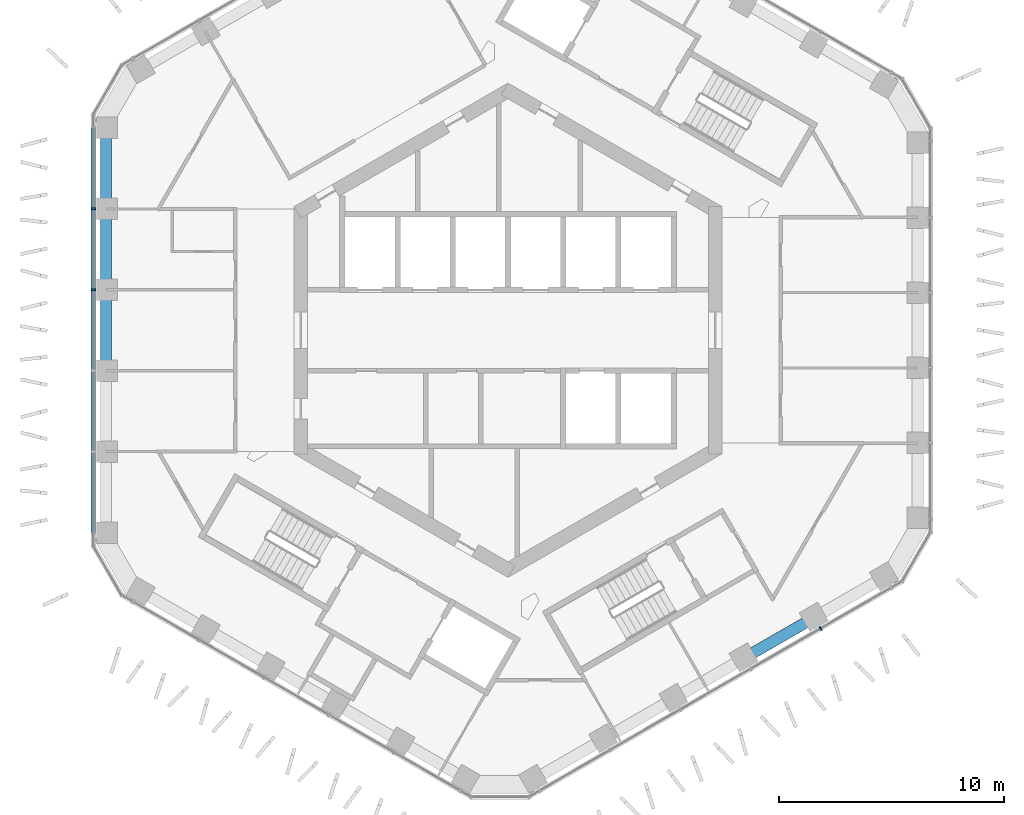
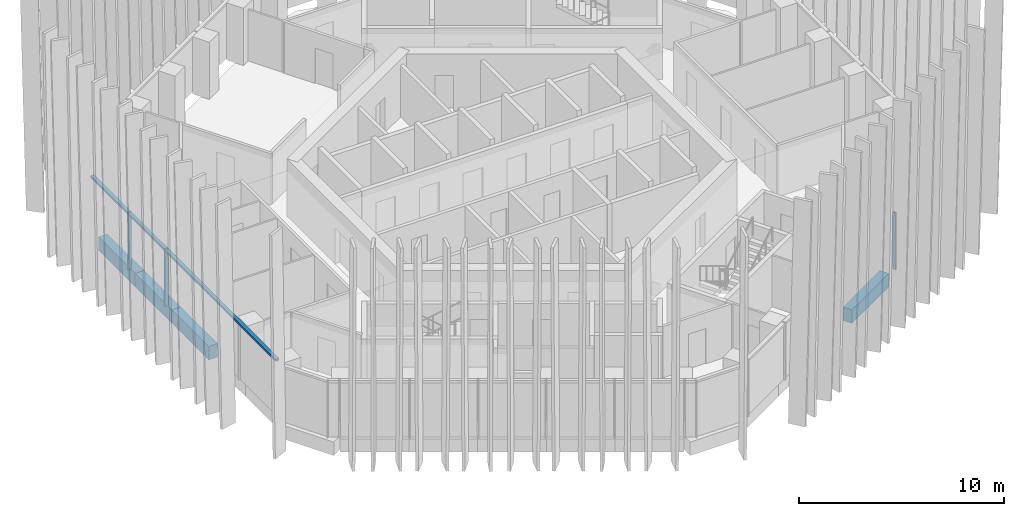
# One storey, part 4 of 21: 4 beams, 4 members, 2 elements without a shape of their own.
"""IFC4 building model written with IfcOpenShell, lengths in metres."""

from ifc_helpers import new_model, si_unit, direction, frame, origin, origin_2d, place, context, subcontext, project, spatial, rectangle, extrude, material, layer, layer_set, material_profile, profile_set, type_object, element, aggregate, save


model = new_model("IFC4")

# Units and contexts
model_context = context("Model", 3, precision=1e-05, world=origin(), true_north=direction((0.0, 1.0)))
body_context = subcontext(model_context, "Body", "Model", "MODEL_VIEW")
ifc_project = project(units=[si_unit("LENGTHUNIT", "METRE"), si_unit("AREAUNIT", "SQUARE_METRE"), si_unit("VOLUMEUNIT", "CUBIC_METRE"), si_unit("PLANEANGLEUNIT", "RADIAN"), si_unit("MASSUNIT", "GRAM", prefix="KILO")], contexts=[model_context])

# Site, building, storey
site_placement = place(None, origin())
site = spatial("IfcSite", under=ifc_project, at=site_placement, CompositionType="ELEMENT")
building_placement = place(site_placement, origin())
building = spatial("IfcBuilding", under=site, at=building_placement, Name="Ayvan Gate Tower", CompositionType="ELEMENT")
storey_placement = place(building_placement, frame((0.0, 0.0, 173.10009765625)))
storey = spatial("IfcBuildingStorey", under=building, at=storey_placement, Name="L46", CompositionType="ELEMENT", Elevation=173.10009765625)

# Beams
ifc_material_1 = material(Name="Concrete C40/50", Category="concrete")
ifc_material_profile_1 = material_profile(ifc_material_1, rectangle(XDim=0.5, YDim=0.800048828125, at=origin_2d()), Name="RC 500x800")
ifc_profile_set_1 = profile_set([ifc_material_profile_1], Name="Concrete C40/50")
beam_type = type_object("IfcBeamType", Name="Spandrel beam RC 500x800 C40/50", PredefinedType="BEAM", material=ifc_profile_set_1)
for number, where, z_axis, x_axis, name in (
    (1, (-17.843505859375, 8.966064453125, -0.75), (0.0, -1.0, 0.0), (1.0, 0.0, 0.0), "SB-L46-19"),
    (2, (-17.843505859375, 5.379638671875, -0.75), (0.0, -1.0, 0.0), (1.0, 0.0, 0.0), "SB-L46-20"),
    (3, (-17.843505859375, 1.793212890625, -0.75), (0.0, -1.0, 0.0), (1.0, 0.0, 0.0), "SB-L46-21"),
    (4, (10.474609375, -14.556396484375, -0.75), (0.866026881282, 0.499997440891, 0.0), (-0.499997440891, 0.866026881282, 0.0), "SB-L46-34"),
):
    element("IfcBeam", number, at=place(storey_placement, frame(where, z_axis=z_axis, x_axis=x_axis)), inside=storey, type_object=beam_type, Name=name, PredefinedType="BEAM", context=body_context, shape_type="SweptSolid", body=[
        extrude(rectangle(XDim=0.5, YDim=0.800048828125, at=origin_2d()), origin(), (0.0, 0.0, 1.0), 3.58642578125),
    ])

# Curtain wall, members
ifc_material_2 = material(Name="Bronze anodised aluminium", Category="aluminium")
ifc_layer = layer(ifc_material_2, 0.199951171875)
ifc_layer_set = layer_set([ifc_layer], Name="Bronze anodised aluminium")
curtain_wall_type = type_object("IfcCurtainWallType", Name="Stick curtain wall CW-2", PredefinedType="NOTDEFINED", material=ifc_layer_set)
curtain_wall_1_placement = place(storey_placement, origin())
curtain_wall_1 = element("IfcCurtainWall", 5, at=curtain_wall_1_placement, inside=storey, type_object=curtain_wall_type, Name="Stick curtain wall CW-2 L46", PredefinedType="NOTDEFINED")
ifc_material_profile_2 = material_profile(ifc_material_2, rectangle(XDim=0.199951171875, YDim=0.070068359375, at=origin_2d()), Name="Stick curtain wall CW-2 mullion 200 x 70")
ifc_profile_set_2 = profile_set([ifc_material_profile_2], Name="Bronze anodised aluminium")
member_type_1 = type_object("IfcMemberType", Name="Stick curtain wall CW-2 mullion 200 x 70", PredefinedType="MULLION", material=ifc_profile_set_2)
member_1_placement = place(storey_placement, frame((-18.405517578125, 5.394287109375, 0.0), z_axis=(0.0, 0.0, 1.0), x_axis=(-1.0, 0.0, 0.0)))
member_1 = element("IfcMember", 6, at=member_1_placement, type_object=member_type_1, Name="CW-2 mullion 2", PredefinedType="MULLION", context=body_context, shape_type="SweptSolid", body=[
    extrude(rectangle(XDim=0.199951171875, YDim=0.070068359375, at=origin_2d()), origin(), (0.0, 0.0, 1.0), 3.39990234375),
])
member_2_placement = place(storey_placement, frame((-18.405517578125, 1.79833984375, 0.0), z_axis=(0.0, 0.0, 1.0), x_axis=(-1.0, 0.0, 0.0)))
member_2 = element("IfcMember", 7, at=member_2_placement, type_object=member_type_1, Name="CW-2 mullion 3", PredefinedType="MULLION", context=body_context, shape_type="SweptSolid", body=[
    extrude(rectangle(XDim=0.199951171875, YDim=0.070068359375, at=origin_2d()), origin(), (0.0, 0.0, 1.0), 3.39990234375),
])

# Curtain wall, member
curtain_wall_2_placement = place(storey_placement, origin())
curtain_wall_2 = element("IfcCurtainWall", 8, at=curtain_wall_2_placement, inside=storey, type_object=curtain_wall_type, Name="Stick curtain wall CW-2 L46", PredefinedType="NOTDEFINED")
member_3_placement = place(storey_placement, frame((13.874755859375, -13.2421875, 0.0), z_axis=(0.0, 0.0, 1.0), x_axis=(0.5, -0.866025403784, 0.0)))
member_3 = element("IfcMember", 9, at=member_3_placement, type_object=member_type_1, Name="CW-2 mullion 5", PredefinedType="MULLION", context=body_context, shape_type="SweptSolid", body=[
    extrude(rectangle(XDim=0.199951171875, YDim=0.070068359375, at=origin_2d()), origin(), (0.0, 0.0, 1.0), 3.39990234375),
])
aggregate(curtain_wall_2, [member_3])

# Member
ifc_material_profile_3 = material_profile(ifc_material_2, rectangle(XDim=0.199951171875, YDim=0.1201171875, at=origin_2d()), Name="Stick curtain wall CW-2 transom 200 x 120")
ifc_profile_set_3 = profile_set([ifc_material_profile_3], Name="Bronze anodised aluminium")
member_type_2 = type_object("IfcMemberType", Name="Stick curtain wall CW-2 transom 200 x 120", PredefinedType="USERDEFINED", material=ifc_profile_set_3)
member_4_placement = place(storey_placement, frame((-18.405517578125, 9.01416015625, 3.33984375), z_axis=(0.0, -1.0, 0.0), x_axis=(1.0, 0.0, 0.0)))
member_4 = element("IfcMember", 10, at=member_4_placement, type_object=member_type_2, Name="CW-2 transom 1", ObjectType="TRANSOM", PredefinedType="USERDEFINED", context=body_context, shape_type="SweptSolid", body=[
    extrude(rectangle(XDim=0.199951171875, YDim=0.1201171875, at=origin_2d()), origin(), (0.0, 0.0, 1.0), 18.0283203125),
])

aggregate(curtain_wall_1, [member_1, member_2, member_4])

save(model, "model.ifc")
